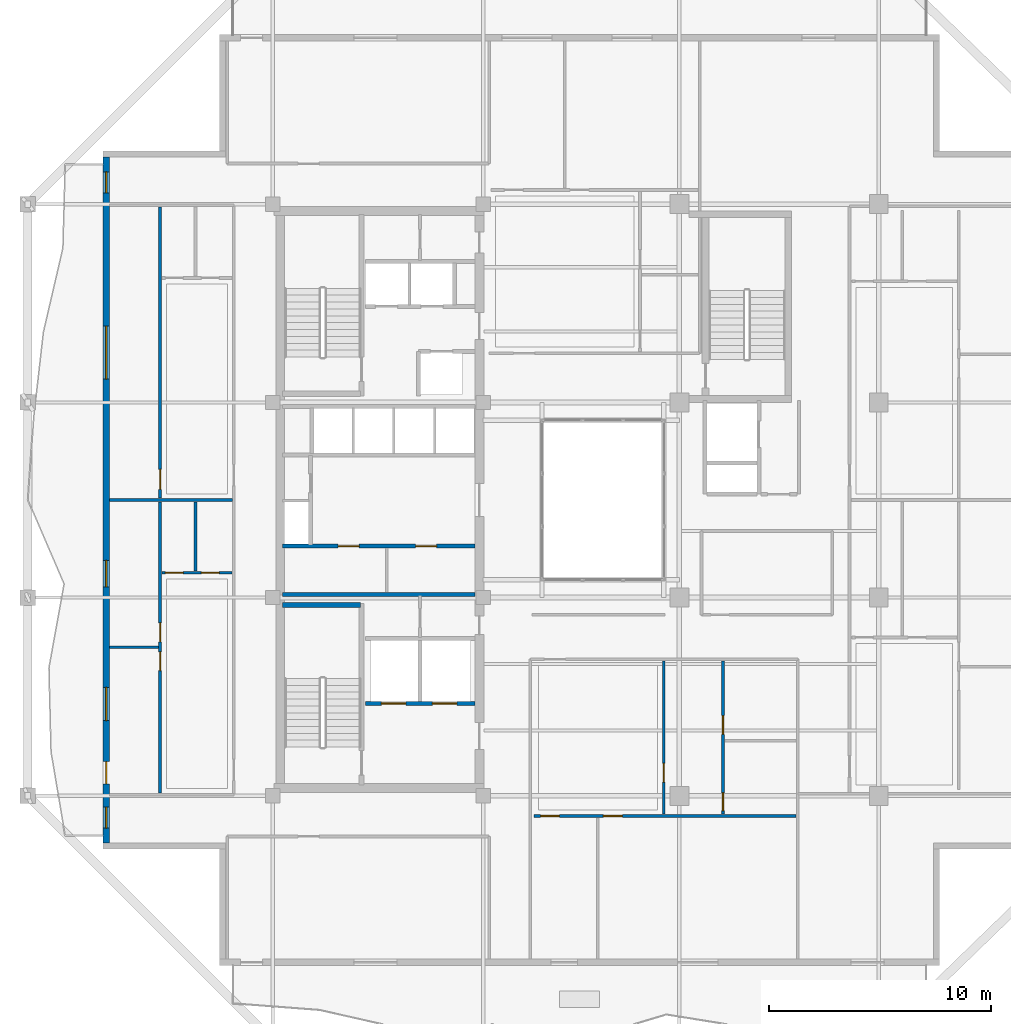
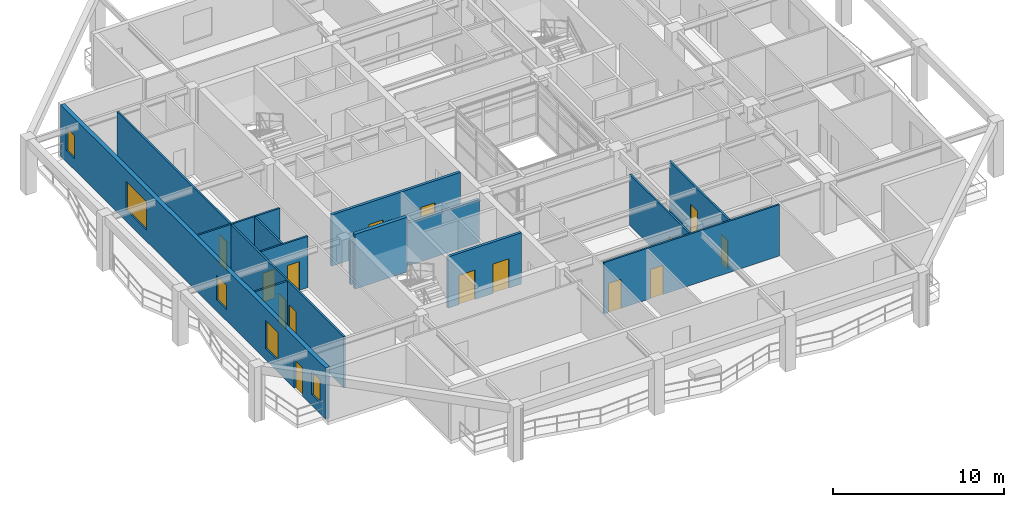
# One storey, part 6 of 15: 15 doors, 14 walls, 5 windows, 20 openings.
"""IFC4 building model written with IfcOpenShell, lengths in metres."""

from ifc_helpers import new_model, si_unit, direction, frame, frame_2d, origin, place, context, subcontext, project, spatial, rectangle, extrude, material, layer, layer_set, type_object, element, fill, save


model = new_model("IFC4")

# Units and contexts
model_context = context("Model", 3, precision=1e-05, world=origin(), true_north=direction((0.0, 1.0)))
body_context = subcontext(model_context, "Body", "Model", "MODEL_VIEW")
ifc_project = project(units=[si_unit("LENGTHUNIT", "METRE"), si_unit("AREAUNIT", "SQUARE_METRE"), si_unit("VOLUMEUNIT", "CUBIC_METRE"), si_unit("PLANEANGLEUNIT", "RADIAN"), si_unit("MASSUNIT", "GRAM", prefix="KILO")], contexts=[model_context])

# Site, building, storey
site_placement = place(None, origin())
site = spatial("IfcSite", under=ifc_project, at=site_placement, CompositionType="ELEMENT")
building_placement = place(site_placement, origin())
building = spatial("IfcBuilding", under=site, at=building_placement, Name="Kundavana Baori Tower", CompositionType="ELEMENT")
storey_placement = place(building_placement, frame((0.0, 0.0, 214.10009765625)))
storey = spatial("IfcBuildingStorey", under=building, at=storey_placement, Name="L52", CompositionType="ELEMENT", Elevation=214.10009765625)

# Wall
ifc_material_1 = material(Name="Concrete C50/60", Category="concrete")
ifc_layer_1 = layer(ifc_material_1, 0.39990234375, Name="WL-CORE-400")
ifc_layer_set_1 = layer_set([ifc_layer_1], Name="Concrete C50/60")
wall_type_1 = type_object("IfcWallType", Name="WL-CORE-400", PredefinedType="SHEAR", material=ifc_layer_set_1)
wall_1_placement = place(storey_placement, frame((15.89990234375, 23.860107421875, 0.0), z_axis=(0.0, 0.0, 1.0), x_axis=(1.0, 0.0, 0.0)))
element("IfcWall", 1, at=wall_1_placement, inside=storey, type_object=wall_type_1, Name="WL-L52-ST1-N", PredefinedType="SHEAR", context=body_context, shape_type="SweptSolid", body=[
    extrude(rectangle(XDim=3.52001953125, YDim=0.239990234375, at=frame_2d((1.760009765625, 0.0))), origin(), (0.0, 0.0, 1.0), 3.89990234375),
])

# Wall, openings, door, windows
ifc_material_2 = material(Name="Red-Buff Dholpur Sandstone Cladding on Concrete C40/50", Category="masonry")
ifc_layer_2 = layer(ifc_material_2, 0.280029296875, Name="WL-EXT-SAND-280")
ifc_layer_set_2 = layer_set([ifc_layer_2], Name="Red-Buff Dholpur Sandstone Cladding on Concrete C40/50")
wall_type_2 = type_object("IfcWallType", Name="WL-EXT-SAND-280", PredefinedType="STANDARD", material=ifc_layer_set_2)
wall_2_placement = place(storey_placement, frame((7.93994140625, 44.070068359375, 0.0), z_axis=(0.0, 0.0, 1.0), x_axis=(0.0, -1.0, 0.0)))
wall_2 = element("IfcWall", 2, at=wall_2_placement, inside=storey, type_object=wall_type_2, Name="L52 Exterior Insulated Facade Wall 10", PredefinedType="STANDARD", context=body_context, shape_type="SweptSolid", body=[
    extrude(rectangle(XDim=30.940185546875, YDim=0.280029296875, at=frame_2d((15.47021484375, 0.0))), origin(), (0.0, 0.0, 1.0), 3.659912109375),
])
opening_1_placement = place(wall_2_placement, frame((29.324951171875, 0.0, 0.800048828125)))
opening_1 = element("IfcOpeningElement", 3, at=opening_1_placement, cuts=wall_2, Name="Opening W-13", PredefinedType="OPENING", context=body_context, shape_type="SweptSolid", body=[
    extrude(rectangle(XDim=0.949951171875, YDim=1.64990234375, at=frame_2d((0.47509765625, 0.824951171875))), frame((0.0, 0.14990234375, 0.0), z_axis=(0.0, -1.0, 0.0), x_axis=(1.0, 0.0, 0.0)), (0.0, 0.0, 1.0), 0.300048828125),
])
opening_2_placement = place(wall_2_placement, frame((27.280029296875, 0.0, 0.0)))
opening_2 = element("IfcOpeningElement", 4, at=opening_2_placement, cuts=wall_2, Name="Opening BD-1", PredefinedType="OPENING", context=body_context, shape_type="SweptSolid", body=[
    extrude(rectangle(XDim=1.0, YDim=2.050048828125, at=frame_2d((0.5, 1.02490234375))), frame((0.0, 0.14990234375, 0.0), z_axis=(0.0, -1.0, 0.0), x_axis=(1.0, 0.0, 0.0)), (0.0, 0.0, 1.0), 0.300048828125),
])
opening_3_placement = place(wall_2_placement, frame((23.919921875, 0.0, 0.800048828125)))
opening_3 = element("IfcOpeningElement", 5, at=opening_3_placement, cuts=wall_2, Name="Opening W-02", PredefinedType="OPENING", context=body_context, shape_type="SweptSolid", body=[
    extrude(rectangle(XDim=1.5, YDim=2.0, at=frame_2d((0.75, 1.0))), frame((0.0, 0.14990234375, 0.0), z_axis=(0.0, -1.0, 0.0), x_axis=(1.0, 0.0, 0.0)), (0.0, 0.0, 1.0), 0.300048828125),
])
opening_4_placement = place(wall_2_placement, frame((18.195068359375, 0.0, 0.800048828125)))
opening_4 = element("IfcOpeningElement", 6, at=opening_4_placement, cuts=wall_2, Name="Opening W-03", PredefinedType="OPENING", context=body_context, shape_type="SweptSolid", body=[
    extrude(rectangle(XDim=1.199951171875, YDim=1.75, at=frame_2d((0.60009765625, 0.875))), frame((0.0, 0.14990234375, 0.0), z_axis=(0.0, -1.0, 0.0), x_axis=(1.0, 0.0, 0.0)), (0.0, 0.0, 1.0), 0.300048828125),
])
opening_5_placement = place(wall_2_placement, frame((7.6201171875, 0.0, 0.800048828125)))
opening_5 = element("IfcOpeningElement", 7, at=opening_5_placement, cuts=wall_2, Name="Opening W-04", PredefinedType="OPENING", context=body_context, shape_type="SweptSolid", body=[
    extrude(rectangle(XDim=2.39990234375, YDim=2.050048828125, at=frame_2d((1.199951171875, 1.02490234375))), frame((0.0, 0.14990234375, 0.0), z_axis=(0.0, -1.0, 0.0), x_axis=(1.0, 0.0, 0.0)), (0.0, 0.0, 1.0), 0.300048828125),
])
opening_6_placement = place(wall_2_placement, frame((0.6650390625, 0.0, 0.800048828125)))
opening_6 = element("IfcOpeningElement", 8, at=opening_6_placement, cuts=wall_2, Name="Opening W-13", PredefinedType="OPENING", context=body_context, shape_type="SweptSolid", body=[
    extrude(rectangle(XDim=0.949951171875, YDim=1.64990234375, at=frame_2d((0.47509765625, 0.824951171875))), frame((0.0, 0.14990234375, 0.0), z_axis=(0.0, -1.0, 0.0), x_axis=(1.0, 0.0, 0.0)), (0.0, 0.0, 1.0), 0.300048828125),
])
ifc_material_3 = material(Name="Architectural Patinated Bronze Metalwork")
door_type_1 = type_object("IfcDoorType", Name="DR-EXT-LOG-1000", OperationType="NOTDEFINED", PredefinedType="DOOR", material=ifc_material_3)
door_1_placement = place(opening_2_placement, frame((1.0, 0.0, 0.0), z_axis=(0.0, 0.0, 1.0), x_axis=(-1.0, 0.0, 0.0)))
door_1 = element("IfcDoor", 9, at=door_1_placement, inside=storey, type_object=door_type_1, Name="L52 Loggia Balcony Access Door W", OperationType="SINGLE_SWING_LEFT", OverallHeight=2.050048828125, OverallWidth=1.0, PredefinedType="DOOR", context=body_context, shape_type="SweptSolid", body=[
    extrude(rectangle(XDim=1.0, YDim=2.050048828125, at=frame_2d((0.5, 1.02490234375))), frame((0.0, 0.02490234375, 0.0), z_axis=(0.0, -1.0, 0.0), x_axis=(1.0, 0.0, 0.0)), (0.0, 0.0, 1.0), 0.050048828125),
])
fill(opening_2, door_1)
ifc_material_4 = material(Name="Double-Glazed Solar-Control Low-E Insulated Glass", Category="glass")
window_type_1 = type_object("IfcWindowType", Name="WIN-LOG-1200x1750", PartitioningType="SINGLE_PANEL", PredefinedType="WINDOW", material=ifc_material_4)
window_1_placement = place(opening_4_placement, origin())
window_1 = element("IfcWindow", 10, at=window_1_placement, inside=storey, type_object=window_type_1, Name="L52 Recessed Loggia Window W-3", OverallHeight=1.75, OverallWidth=1.199951171875, PartitioningType="SINGLE_PANEL", PredefinedType="WINDOW", context=body_context, shape_type="SweptSolid", body=[
    extrude(rectangle(XDim=1.199951171875, YDim=1.75, at=frame_2d((0.60009765625, 0.875))), frame((0.0, 0.030029296875, 0.0), z_axis=(0.0, -1.0, 0.0), x_axis=(1.0, 0.0, 0.0)), (0.0, 0.0, 1.0), 0.06005859375),
])
fill(opening_4, window_1)
ifc_material_5 = material(Name="Double-Glazed Solar-Control Low-E Insulated Glass", Category="glass")
window_type_2 = type_object("IfcWindowType", Name="WIN-LOG-1500x2000", PartitioningType="SINGLE_PANEL", PredefinedType="WINDOW", material=ifc_material_5)
window_2_placement = place(opening_3_placement, origin())
window_2 = element("IfcWindow", 11, at=window_2_placement, inside=storey, type_object=window_type_2, Name="L52 Recessed Loggia Window W-2", OverallHeight=2.0, OverallWidth=1.5, PartitioningType="SINGLE_PANEL", PredefinedType="WINDOW", context=body_context, shape_type="SweptSolid", body=[
    extrude(rectangle(XDim=1.5, YDim=2.0, at=frame_2d((0.75, 1.0))), frame((0.0, 0.030029296875, 0.0), z_axis=(0.0, -1.0, 0.0), x_axis=(1.0, 0.0, 0.0)), (0.0, 0.0, 1.0), 0.06005859375),
])
fill(opening_3, window_2)
ifc_material_6 = material(Name="Double-Glazed Solar-Control Low-E Insulated Glass", Category="glass")
window_type_3 = type_object("IfcWindowType", Name="WIN-LOG-2400x2050", PartitioningType="SINGLE_PANEL", PredefinedType="WINDOW", material=ifc_material_6)
window_3_placement = place(opening_5_placement, origin())
window_3 = element("IfcWindow", 12, at=window_3_placement, inside=storey, type_object=window_type_3, Name="L52 Recessed Loggia Window W-4", OverallHeight=2.050048828125, OverallWidth=2.39990234375, PartitioningType="SINGLE_PANEL", PredefinedType="WINDOW", context=body_context, shape_type="SweptSolid", body=[
    extrude(rectangle(XDim=2.39990234375, YDim=2.050048828125, at=frame_2d((1.199951171875, 1.02490234375))), frame((0.0, 0.030029296875, 0.0), z_axis=(0.0, -1.0, 0.0), x_axis=(1.0, 0.0, 0.0)), (0.0, 0.0, 1.0), 0.06005859375),
])
fill(opening_5, window_3)
ifc_material_7 = material(Name="Double-Glazed Solar-Control Low-E Insulated Glass", Category="glass")
window_type_4 = type_object("IfcWindowType", Name="WIN-LOG-950x1650", PartitioningType="SINGLE_PANEL", PredefinedType="WINDOW", material=ifc_material_7)
window_4_placement = place(opening_1_placement, origin())
window_4 = element("IfcWindow", 13, at=window_4_placement, inside=storey, type_object=window_type_4, Name="L52 Recessed Loggia Window W-1", OverallHeight=1.64990234375, OverallWidth=0.949951171875, PartitioningType="SINGLE_PANEL", PredefinedType="WINDOW", context=body_context, shape_type="SweptSolid", body=[
    extrude(rectangle(XDim=0.949951171875, YDim=1.64990234375, at=frame_2d((0.47509765625, 0.824951171875))), frame((0.0, 0.030029296875, 0.0), z_axis=(0.0, -1.0, 0.0), x_axis=(1.0, 0.0, 0.0)), (0.0, 0.0, 1.0), 0.06005859375),
])
fill(opening_1, window_4)
window_5_placement = place(opening_6_placement, origin())
window_5 = element("IfcWindow", 14, at=window_5_placement, inside=storey, type_object=window_type_4, Name="L52 Recessed Loggia Window W-5", OverallHeight=1.64990234375, OverallWidth=0.949951171875, PartitioningType="SINGLE_PANEL", PredefinedType="WINDOW", context=body_context, shape_type="SweptSolid", body=[
    extrude(rectangle(XDim=0.949951171875, YDim=1.64990234375, at=frame_2d((0.47509765625, 0.824951171875))), frame((0.0, 0.030029296875, 0.0), z_axis=(0.0, -1.0, 0.0), x_axis=(1.0, 0.0, 0.0)), (0.0, 0.0, 1.0), 0.06005859375),
])
fill(opening_6, window_5)

# Wall, openings, doors
ifc_material_8 = material(Name="Acoustic Gypsum Plasterboard on Galvanised Steel Studs", Category="steel")
ifc_layer_3 = layer(ifc_material_8, 0.1201171875, Name="WL-PART-120")
ifc_layer_set_3 = layer_set([ifc_layer_3], Name="Acoustic Gypsum Plasterboard on Galvanised Steel Studs")
wall_type_3 = type_object("IfcWallType", Name="WL-PART-120", PredefinedType="PARTITIONING", material=ifc_layer_set_3)
wall_3_placement = place(storey_placement, frame((10.3701171875, 15.3798828125, 0.0), z_axis=(0.0, 0.0, 1.0), x_axis=(0.0, 1.0, 0.0)))
wall_3 = element("IfcWall", 15, at=wall_3_placement, inside=storey, type_object=wall_type_3, Name="WL-L52-W1-VT", PredefinedType="PARTITIONING", context=body_context, shape_type="SweptSolid", body=[
    extrude(rectangle(XDim=13.14013671875, YDim=0.1201171875, at=frame_2d((6.570068359375, 0.0))), origin(), (0.0, 0.0, 1.0), 3.659912109375),
])
opening_7_placement = place(wall_3_placement, frame((5.52001953125, 0.0, 0.0)))
opening_7 = element("IfcOpeningElement", 16, at=opening_7_placement, cuts=wall_3, Name="Opening ID-085", PredefinedType="OPENING", context=body_context, shape_type="SweptSolid", body=[
    extrude(rectangle(XDim=0.85009765625, YDim=2.080078125, at=frame_2d((0.425048828125, 1.0400390625))), frame((0.0, 0.070068359375, 0.0), z_axis=(0.0, -1.0, 0.0), x_axis=(1.0, 0.0, 0.0)), (0.0, 0.0, 1.0), 0.14013671875),
])
opening_8_placement = place(wall_3_placement, frame((6.820068359375, 0.0, 0.0)))
opening_8 = element("IfcOpeningElement", 17, at=opening_8_placement, cuts=wall_3, Name="Opening ID-085", PredefinedType="OPENING", context=body_context, shape_type="SweptSolid", body=[
    extrude(rectangle(XDim=0.85009765625, YDim=2.080078125, at=frame_2d((0.425048828125, 1.0400390625))), frame((0.0, 0.070068359375, 0.0), z_axis=(0.0, -1.0, 0.0), x_axis=(1.0, 0.0, 0.0)), (0.0, 0.0, 1.0), 0.14013671875),
])
ifc_material_9 = material(Name="Engineered Teak Solid-Core Timber Veneer", Category="wood")
door_type_2 = type_object("IfcDoorType", Name="DR-INT-850", OperationType="NOTDEFINED", PredefinedType="DOOR", material=ifc_material_9)
door_2_placement = place(opening_7_placement, frame((0.85009765625, 0.0, 0.0), z_axis=(0.0, 0.0, 1.0), x_axis=(-1.0, 0.0, 0.0)))
door_2 = element("IfcDoor", 18, at=door_2_placement, inside=storey, type_object=door_type_2, Name="DR-L52-W1-B1", OperationType="SINGLE_SWING_LEFT", OverallHeight=2.080078125, OverallWidth=0.85009765625, PredefinedType="DOOR", context=body_context, shape_type="SweptSolid", body=[
    extrude(rectangle(XDim=0.85009765625, YDim=2.080078125, at=frame_2d((0.425048828125, 1.0400390625))), frame((0.0, 0.02490234375, 0.0), z_axis=(0.0, -1.0, 0.0), x_axis=(1.0, 0.0, 0.0)), (0.0, 0.0, 1.0), 0.050048828125),
])
fill(opening_7, door_2)
door_3_placement = place(opening_8_placement, frame((0.85009765625, 0.0, 0.0), z_axis=(0.0, 0.0, 1.0), x_axis=(-1.0, 0.0, 0.0)))
door_3 = element("IfcDoor", 19, at=door_3_placement, inside=storey, type_object=door_type_2, Name="DR-L52-W1-B2", OperationType="SINGLE_SWING_RIGHT", OverallHeight=2.080078125, OverallWidth=0.85009765625, PredefinedType="DOOR", context=body_context, shape_type="SweptSolid", body=[
    extrude(rectangle(XDim=0.85009765625, YDim=2.080078125, at=frame_2d((0.425048828125, 1.0400390625))), frame((0.0, 0.02490234375, 0.0), z_axis=(0.0, -1.0, 0.0), x_axis=(1.0, 0.0, 0.0)), (0.0, 0.0, 1.0), 0.050048828125),
])
fill(opening_8, door_3)

# Walls
wall_4_placement = place(storey_placement, frame((8.080078125, 21.949951171875, 0.0), z_axis=(0.0, 0.0, 1.0), x_axis=(1.0, 0.0, 0.0)))
element("IfcWall", 20, at=wall_4_placement, inside=storey, type_object=wall_type_3, Name="WL-L52-W1-BDH", PredefinedType="PARTITIONING", context=body_context, shape_type="SweptSolid", body=[
    extrude(rectangle(XDim=2.2099609375, YDim=0.1201171875, at=frame_2d((1.10498046875, 0.0))), origin(), (0.0, 0.0, 1.0), 3.659912109375),
])
wall_5_placement = place(storey_placement, frame((8.080078125, 28.60009765625, 0.0), z_axis=(0.0, 0.0, 1.0), x_axis=(1.0, 0.0, 0.0)))
element("IfcWall", 21, at=wall_5_placement, inside=storey, type_object=wall_type_3, Name="WL-L52-RWD1", PredefinedType="PARTITIONING", context=body_context, shape_type="SweptSolid", body=[
    extrude(rectangle(XDim=5.559814453125, YDim=0.1201171875, at=frame_2d((2.77978515625, 0.0))), origin(), (0.0, 0.0, 1.0), 3.659912109375),
])

# Wall, opening, door
wall_6_placement = place(storey_placement, frame((10.3701171875, 28.679931640625, 0.0), z_axis=(0.0, 0.0, 1.0), x_axis=(0.0, 1.0, 0.0)))
wall_6 = element("IfcWall", 22, at=wall_6_placement, inside=storey, type_object=wall_type_3, Name="WL-L52-W2-VT", PredefinedType="PARTITIONING", context=body_context, shape_type="SweptSolid", body=[
    extrude(rectangle(XDim=13.14013671875, YDim=0.1201171875, at=frame_2d((6.570068359375, 0.0))), origin(), (0.0, 0.0, 1.0), 3.659912109375),
])
opening_9_placement = place(wall_6_placement, frame((0.39990234375, 0.0, 0.0)))
opening_9 = element("IfcOpeningElement", 23, at=opening_9_placement, cuts=wall_6, Name="Opening ID-090", PredefinedType="OPENING", context=body_context, shape_type="SweptSolid", body=[
    extrude(rectangle(XDim=0.89990234375, YDim=2.080078125, at=frame_2d((0.449951171875, 1.0400390625))), frame((0.0, 0.070068359375, 0.0), z_axis=(0.0, -1.0, 0.0), x_axis=(1.0, 0.0, 0.0)), (0.0, 0.0, 1.0), 0.14013671875),
])
ifc_material_10 = material(Name="Engineered Teak Solid-Core Timber Veneer", Category="wood")
door_type_3 = type_object("IfcDoorType", Name="DR-INT-900", OperationType="NOTDEFINED", PredefinedType="DOOR", material=ifc_material_10)
door_4_placement = place(opening_9_placement, frame((0.89990234375, 0.0, 0.0), z_axis=(0.0, 0.0, 1.0), x_axis=(-1.0, 0.0, 0.0)))
door_4 = element("IfcDoor", 24, at=door_4_placement, inside=storey, type_object=door_type_3, Name="DR-L52-W2-B1", OperationType="SINGLE_SWING_LEFT", OverallHeight=2.080078125, OverallWidth=0.89990234375, PredefinedType="DOOR", context=body_context, shape_type="SweptSolid", body=[
    extrude(rectangle(XDim=0.89990234375, YDim=2.080078125, at=frame_2d((0.449951171875, 1.0400390625))), frame((0.0, 0.02490234375, 0.0), z_axis=(0.0, -1.0, 0.0), x_axis=(1.0, 0.0, 0.0)), (0.0, 0.0, 1.0), 0.050048828125),
])
fill(opening_9, door_4)

# Wall, openings, doors
wall_7_placement = place(storey_placement, frame((27.239990234375, 14.341064453125, 0.0), z_axis=(0.0, 0.0, 1.0), x_axis=(1.0, 0.0, 0.0)))
wall_7 = element("IfcWall", 25, at=wall_7_placement, inside=storey, type_object=wall_type_3, Name="WL-L52-S1-HZ", PredefinedType="PARTITIONING", context=body_context, shape_type="SweptSolid", body=[
    extrude(rectangle(XDim=11.830078125, YDim=0.1201171875, at=frame_2d((5.9150390625, 0.0))), origin(), (0.0, 0.0, 1.0), 3.659912109375),
])
opening_10_placement = place(wall_7_placement, frame((0.300048828125, 0.0, 0.0)))
opening_10 = element("IfcOpeningElement", 26, at=opening_10_placement, cuts=wall_7, Name="Opening ID-085", PredefinedType="OPENING", context=body_context, shape_type="SweptSolid", body=[
    extrude(rectangle(XDim=0.85009765625, YDim=2.080078125, at=frame_2d((0.425048828125, 1.0400390625))), frame((0.0, 0.070068359375, 0.0), z_axis=(0.0, -1.0, 0.0), x_axis=(1.0, 0.0, 0.0)), (0.0, 0.0, 1.0), 0.14013671875),
])
opening_11_placement = place(wall_7_placement, frame((3.135009765625, 0.0, 0.0)))
opening_11 = element("IfcOpeningElement", 27, at=opening_11_placement, cuts=wall_7, Name="Opening ID-085", PredefinedType="OPENING", context=body_context, shape_type="SweptSolid", body=[
    extrude(rectangle(XDim=0.85009765625, YDim=2.080078125, at=frame_2d((0.425048828125, 1.0400390625))), frame((0.0, 0.070068359375, 0.0), z_axis=(0.0, -1.0, 0.0), x_axis=(1.0, 0.0, 0.0)), (0.0, 0.0, 1.0), 0.14013671875),
])
door_5_placement = place(opening_10_placement, frame((0.85009765625, 0.0, 0.0), z_axis=(0.0, 0.0, 1.0), x_axis=(-1.0, 0.0, 0.0)))
door_5 = element("IfcDoor", 28, at=door_5_placement, inside=storey, type_object=door_type_2, Name="DR-L52-S1-B1", OperationType="SINGLE_SWING_LEFT", OverallHeight=2.080078125, OverallWidth=0.85009765625, PredefinedType="DOOR", context=body_context, shape_type="SweptSolid", body=[
    extrude(rectangle(XDim=0.85009765625, YDim=2.080078125, at=frame_2d((0.425048828125, 1.0400390625))), frame((0.0, 0.02490234375, 0.0), z_axis=(0.0, -1.0, 0.0), x_axis=(1.0, 0.0, 0.0)), (0.0, 0.0, 1.0), 0.050048828125),
])
fill(opening_10, door_5)
door_6_placement = place(opening_11_placement, frame((0.85009765625, 0.0, 0.0), z_axis=(0.0, 0.0, 1.0), x_axis=(-1.0, 0.0, 0.0)))
door_6 = element("IfcDoor", 29, at=door_6_placement, inside=storey, type_object=door_type_2, Name="DR-L52-S1-B2", OperationType="SINGLE_SWING_RIGHT", OverallHeight=2.080078125, OverallWidth=0.85009765625, PredefinedType="DOOR", context=body_context, shape_type="SweptSolid", body=[
    extrude(rectangle(XDim=0.85009765625, YDim=2.080078125, at=frame_2d((0.425048828125, 1.0400390625))), frame((0.0, 0.02490234375, 0.0), z_axis=(0.0, -1.0, 0.0), x_axis=(1.0, 0.0, 0.0)), (0.0, 0.0, 1.0), 0.050048828125),
])
fill(opening_11, door_6)

# Wall, opening, door
wall_8_placement = place(storey_placement, frame((33.090087890625, 14.4208984375, 0.0), z_axis=(0.0, 0.0, 1.0), x_axis=(0.0, 1.0, 0.0)))
wall_8 = element("IfcWall", 30, at=wall_8_placement, inside=storey, type_object=wall_type_3, Name="WL-L52-S1-STU", PredefinedType="PARTITIONING", context=body_context, shape_type="SweptSolid", body=[
    extrude(rectangle(XDim=6.919189453125, YDim=0.1201171875, at=frame_2d((3.45947265625, 0.0))), origin(), (0.0, 0.0, 1.0), 3.659912109375),
])
opening_12_placement = place(wall_8_placement, frame((1.449951171875, 0.0, 0.0)))
opening_12 = element("IfcOpeningElement", 31, at=opening_12_placement, cuts=wall_8, Name="Opening ID-085", PredefinedType="OPENING", context=body_context, shape_type="SweptSolid", body=[
    extrude(rectangle(XDim=0.85009765625, YDim=2.080078125, at=frame_2d((0.425048828125, 1.0400390625))), frame((0.0, 0.070068359375, 0.0), z_axis=(0.0, -1.0, 0.0), x_axis=(1.0, 0.0, 0.0)), (0.0, 0.0, 1.0), 0.14013671875),
])
door_7_placement = place(opening_12_placement, origin())
door_7 = element("IfcDoor", 32, at=door_7_placement, inside=storey, type_object=door_type_2, Name="DR-L52-S1-STD", OperationType="SINGLE_SWING_LEFT", OverallHeight=2.080078125, OverallWidth=0.85009765625, PredefinedType="DOOR", context=body_context, shape_type="SweptSolid", body=[
    extrude(rectangle(XDim=0.85009765625, YDim=2.080078125, at=frame_2d((0.425048828125, 1.0400390625))), frame((0.0, 0.02490234375, 0.0), z_axis=(0.0, -1.0, 0.0), x_axis=(1.0, 0.0, 0.0)), (0.0, 0.0, 1.0), 0.050048828125),
])
fill(opening_12, door_7)

# Wall, openings, doors
ifc_material_11 = material(Name="Autoclaved Aerated Concrete Blockwork Masonry", Category="masonry")
ifc_layer_4 = layer(ifc_material_11, 0.179931640625, Name="WL-SHAFT-180")
ifc_layer_set_4 = layer_set([ifc_layer_4], Name="Autoclaved Aerated Concrete Blockwork Masonry")
wall_type_4 = type_object("IfcWallType", Name="WL-SHAFT-180", PredefinedType="SOLIDWALL", material=ifc_layer_set_4)
wall_9_placement = place(storey_placement, frame((19.639892578125, 19.419921875, 0.0), z_axis=(0.0, 0.0, 1.0), x_axis=(1.0, 0.0, 0.0)))
wall_9 = element("IfcWall", 33, at=wall_9_placement, inside=storey, type_object=wall_type_4, Name="WL-L52-FFL-S", PredefinedType="SOLIDWALL", context=body_context, shape_type="SweptSolid", body=[
    extrude(rectangle(XDim=4.940185546875, YDim=0.179931640625, at=frame_2d((2.47021484375, 0.0))), origin(), (0.0, 0.0, 1.0), 3.659912109375),
])
opening_13_placement = place(wall_9_placement, frame((0.719970703125, 0.0, 0.0)))
opening_13 = element("IfcOpeningElement", 34, at=opening_13_placement, cuts=wall_9, Name="Opening LD-110", PredefinedType="OPENING", context=body_context, shape_type="SweptSolid", body=[
    extrude(rectangle(XDim=1.10009765625, YDim=2.10009765625, at=frame_2d((0.550048828125, 1.050048828125))), frame((0.0, 0.10009765625, 0.0), z_axis=(0.0, -1.0, 0.0), x_axis=(1.0, 0.0, 0.0)), (0.0, 0.0, 1.0), 0.199951171875),
])
opening_14_placement = place(wall_9_placement, frame((3.02001953125, 0.0, 0.0)))
opening_14 = element("IfcOpeningElement", 35, at=opening_14_placement, cuts=wall_9, Name="Opening LD-110", PredefinedType="OPENING", context=body_context, shape_type="SweptSolid", body=[
    extrude(rectangle(XDim=1.10009765625, YDim=2.10009765625, at=frame_2d((0.550048828125, 1.050048828125))), frame((0.0, 0.10009765625, 0.0), z_axis=(0.0, -1.0, 0.0), x_axis=(1.0, 0.0, 0.0)), (0.0, 0.0, 1.0), 0.199951171875),
])
ifc_material_12 = material(Name="Galvanised Steel Fire-Rated Door Leaf", Category="steel")
door_type_4 = type_object("IfcDoorType", Name="DR-SLIDE-LD1100", OperationType="NOTDEFINED", PredefinedType="DOOR", material=ifc_material_12)
door_8_placement = place(opening_13_placement, origin())
door_8 = element("IfcDoor", 36, at=door_8_placement, inside=storey, type_object=door_type_4, Name="DR-L52-LD-FFL-1", OperationType="DOUBLE_DOOR_SLIDING", OverallHeight=2.10009765625, OverallWidth=1.10009765625, PredefinedType="DOOR", context=body_context, shape_type="SweptSolid", body=[
    extrude(rectangle(XDim=1.10009765625, YDim=2.10009765625, at=frame_2d((0.550048828125, 1.050048828125))), frame((0.0, 0.02490234375, 0.0), z_axis=(0.0, -1.0, 0.0), x_axis=(1.0, 0.0, 0.0)), (0.0, 0.0, 1.0), 0.050048828125),
])
fill(opening_13, door_8)
door_9_placement = place(opening_14_placement, origin())
door_9 = element("IfcDoor", 37, at=door_9_placement, inside=storey, type_object=door_type_4, Name="DR-L52-LD-FFL-2", OperationType="DOUBLE_DOOR_SLIDING", OverallHeight=2.10009765625, OverallWidth=1.10009765625, PredefinedType="DOOR", context=body_context, shape_type="SweptSolid", body=[
    extrude(rectangle(XDim=1.10009765625, YDim=2.10009765625, at=frame_2d((0.550048828125, 1.050048828125))), frame((0.0, 0.02490234375, 0.0), z_axis=(0.0, -1.0, 0.0), x_axis=(1.0, 0.0, 0.0)), (0.0, 0.0, 1.0), 0.050048828125),
])
fill(opening_14, door_9)

wall_10_placement = place(storey_placement, frame((15.89990234375, 26.52001953125, 0.0), z_axis=(0.0, 0.0, 1.0), x_axis=(1.0, 0.0, 0.0)))
wall_10 = element("IfcWall", 38, at=wall_10_placement, inside=storey, type_object=wall_type_4, Name="WL-L52-LPLOW-N", PredefinedType="SOLIDWALL", context=body_context, shape_type="SweptSolid", body=[
    extrude(rectangle(XDim=8.68017578125, YDim=0.179931640625, at=frame_2d((4.340087890625, 0.0))), origin(), (0.0, 0.0, 1.0), 3.659912109375),
])
opening_15_placement = place(wall_10_placement, frame((2.5, 0.0, 0.0)))
opening_15 = element("IfcOpeningElement", 39, at=opening_15_placement, cuts=wall_10, Name="Opening FD-095", PredefinedType="OPENING", context=body_context, shape_type="SweptSolid", body=[
    extrude(rectangle(XDim=0.949951171875, YDim=2.10009765625, at=frame_2d((0.47509765625, 1.050048828125))), frame((0.0, 0.10009765625, 0.0), z_axis=(0.0, -1.0, 0.0), x_axis=(1.0, 0.0, 0.0)), (0.0, 0.0, 1.0), 0.199951171875),
])
opening_16_placement = place(wall_10_placement, frame((6.0, 0.0, 0.0)))
opening_16 = element("IfcOpeningElement", 40, at=opening_16_placement, cuts=wall_10, Name="Opening FD-095", PredefinedType="OPENING", context=body_context, shape_type="SweptSolid", body=[
    extrude(rectangle(XDim=0.949951171875, YDim=2.10009765625, at=frame_2d((0.47509765625, 1.050048828125))), frame((0.0, 0.10009765625, 0.0), z_axis=(0.0, -1.0, 0.0), x_axis=(1.0, 0.0, 0.0)), (0.0, 0.0, 1.0), 0.199951171875),
])
ifc_material_13 = material(Name="Engineered Teak Fire-Rated Timber Door Leaf", Category="wood")
door_type_5 = type_object("IfcDoorType", Name="DR-FD60-950", OperationType="NOTDEFINED", PredefinedType="DOOR", material=ifc_material_13)
door_10_placement = place(opening_15_placement, origin())
door_10 = element("IfcDoor", 41, at=door_10_placement, inside=storey, type_object=door_type_5, Name="DR-L52-FRLOW1", OperationType="SINGLE_SWING_LEFT", OverallHeight=2.10009765625, OverallWidth=0.949951171875, PredefinedType="DOOR", context=body_context, shape_type="SweptSolid", body=[
    extrude(rectangle(XDim=0.949951171875, YDim=2.10009765625, at=frame_2d((0.47509765625, 1.050048828125))), frame((0.0, 0.02490234375, 0.0), z_axis=(0.0, -1.0, 0.0), x_axis=(1.0, 0.0, 0.0)), (0.0, 0.0, 1.0), 0.050048828125),
])
fill(opening_15, door_10)
door_11_placement = place(opening_16_placement, origin())
door_11 = element("IfcDoor", 42, at=door_11_placement, inside=storey, type_object=door_type_5, Name="DR-L52-FRLOW2", OperationType="SINGLE_SWING_RIGHT", OverallHeight=2.10009765625, OverallWidth=0.949951171875, PredefinedType="DOOR", context=body_context, shape_type="SweptSolid", body=[
    extrude(rectangle(XDim=0.949951171875, YDim=2.10009765625, at=frame_2d((0.47509765625, 1.050048828125))), frame((0.0, 0.02490234375, 0.0), z_axis=(0.0, -1.0, 0.0), x_axis=(1.0, 0.0, 0.0)), (0.0, 0.0, 1.0), 0.050048828125),
])
fill(opening_16, door_11)

# Wall
wall_11_placement = place(storey_placement, frame((15.89990234375, 24.330078125, 0.0), z_axis=(0.0, 0.0, 1.0), x_axis=(1.0, 0.0, 0.0)))
element("IfcWall", 43, at=wall_11_placement, inside=storey, type_object=wall_type_4, Name="WL-L52-LPLOW-S", PredefinedType="SOLIDWALL", context=body_context, shape_type="SweptSolid", body=[
    extrude(rectangle(XDim=8.68017578125, YDim=0.179931640625, at=frame_2d((4.340087890625, 0.0))), origin(), (0.0, 0.0, 1.0), 3.059814453125),
])

# Wall, openings, doors
ifc_material_14 = material(Name="Autoclaved Aerated Concrete Blockwork Masonry", Category="masonry")
ifc_layer_5 = layer(ifc_material_14, 0.125, Name="WL-WET-120")
ifc_layer_set_5 = layer_set([ifc_layer_5], Name="Autoclaved Aerated Concrete Blockwork Masonry")
wall_type_5 = type_object("IfcWallType", Name="WL-WET-120", PredefinedType="PLUMBINGWALL", material=ifc_layer_set_5)
wall_12_placement = place(storey_placement, frame((10.449951171875, 25.320068359375, 0.0), z_axis=(0.0, 0.0, 1.0), x_axis=(1.0, 0.0, 0.0)))
wall_12 = element("IfcWall", 44, at=wall_12_placement, inside=storey, type_object=wall_type_5, Name="WL-L52-W1-KH", PredefinedType="PLUMBINGWALL", context=body_context, shape_type="SweptSolid", body=[
    extrude(rectangle(XDim=3.170166015625, YDim=0.125, at=frame_2d((1.5849609375, 0.0))), origin(), (0.0, 0.0, 1.0), 3.659912109375),
])
opening_17_placement = place(wall_12_placement, frame((0.159912109375, 0.0, 0.0)))
opening_17 = element("IfcOpeningElement", 45, at=opening_17_placement, cuts=wall_12, Name="Opening WD-080", PredefinedType="OPENING", context=body_context, shape_type="SweptSolid", body=[
    extrude(rectangle(XDim=0.800048828125, YDim=2.050048828125, at=frame_2d((0.39990234375, 1.02490234375))), frame((0.0, 0.072509765625, 0.0), z_axis=(0.0, -1.0, 0.0), x_axis=(1.0, 0.0, 0.0)), (0.0, 0.0, 1.0), 0.14501953125),
])
opening_18_placement = place(wall_12_placement, frame((1.781982421875, 0.0, 0.0)))
opening_18 = element("IfcOpeningElement", 46, at=opening_18_placement, cuts=wall_12, Name="Opening WD-080", PredefinedType="OPENING", context=body_context, shape_type="SweptSolid", body=[
    extrude(rectangle(XDim=0.800048828125, YDim=2.050048828125, at=frame_2d((0.39990234375, 1.02490234375))), frame((0.0, 0.072509765625, 0.0), z_axis=(0.0, -1.0, 0.0), x_axis=(1.0, 0.0, 0.0)), (0.0, 0.0, 1.0), 0.14501953125),
])
ifc_material_15 = material(Name="Engineered Teak Solid-Core Timber Veneer", Category="wood")
door_type_6 = type_object("IfcDoorType", Name="DR-WET-800", OperationType="NOTDEFINED", PredefinedType="DOOR", material=ifc_material_15)
door_12_placement = place(opening_17_placement, origin())
door_12 = element("IfcDoor", 47, at=door_12_placement, inside=storey, type_object=door_type_6, Name="DR-L52-W1-BT", OperationType="SINGLE_SWING_LEFT", OverallHeight=2.050048828125, OverallWidth=0.800048828125, PredefinedType="DOOR", context=body_context, shape_type="SweptSolid", body=[
    extrude(rectangle(XDim=0.800048828125, YDim=2.050048828125, at=frame_2d((0.39990234375, 1.02490234375))), frame((0.0, 0.02490234375, 0.0), z_axis=(0.0, -1.0, 0.0), x_axis=(1.0, 0.0, 0.0)), (0.0, 0.0, 1.0), 0.050048828125),
])
fill(opening_17, door_12)
door_13_placement = place(opening_18_placement, origin())
door_13 = element("IfcDoor", 48, at=door_13_placement, inside=storey, type_object=door_type_6, Name="DR-L52-W1-KT", OperationType="SINGLE_SWING_RIGHT", OverallHeight=2.050048828125, OverallWidth=0.800048828125, PredefinedType="DOOR", context=body_context, shape_type="SweptSolid", body=[
    extrude(rectangle(XDim=0.800048828125, YDim=2.050048828125, at=frame_2d((0.39990234375, 1.02490234375))), frame((0.0, 0.02490234375, 0.0), z_axis=(0.0, -1.0, 0.0), x_axis=(1.0, 0.0, 0.0)), (0.0, 0.0, 1.0), 0.050048828125),
])
fill(opening_18, door_13)

# Wall
wall_13_placement = place(storey_placement, frame((11.971923828125, 25.39990234375, 0.0), z_axis=(0.0, 0.0, 1.0), x_axis=(0.0, 1.0, 0.0)))
element("IfcWall", 49, at=wall_13_placement, inside=storey, type_object=wall_type_5, Name="WL-L52-W1-BV", PredefinedType="PLUMBINGWALL", context=body_context, shape_type="SweptSolid", body=[
    extrude(rectangle(XDim=3.1201171875, YDim=0.125, at=frame_2d((1.56005859375, 0.0))), origin(), (0.0, 0.0, 1.0), 3.659912109375),
])

# Wall, openings, doors
wall_14_placement = place(storey_placement, frame((35.77001953125, 14.4208984375, 0.0), z_axis=(0.0, 0.0, 1.0), x_axis=(0.0, 1.0, 0.0)))
wall_14 = element("IfcWall", 50, at=wall_14_placement, inside=storey, type_object=wall_type_5, Name="WL-L52-S1-KT", PredefinedType="PLUMBINGWALL", context=body_context, shape_type="SweptSolid", body=[
    extrude(rectangle(XDim=6.919189453125, YDim=0.125, at=frame_2d((3.45947265625, 0.0))), origin(), (0.0, 0.0, 1.0), 3.659912109375),
])
opening_19_placement = place(wall_14_placement, frame((0.159912109375, 0.0, 0.0)))
opening_19 = element("IfcOpeningElement", 51, at=opening_19_placement, cuts=wall_14, Name="Opening WD-080", PredefinedType="OPENING", context=body_context, shape_type="SweptSolid", body=[
    extrude(rectangle(XDim=0.800048828125, YDim=2.050048828125, at=frame_2d((0.39990234375, 1.02490234375))), frame((0.0, 0.072509765625, 0.0), z_axis=(0.0, -1.0, 0.0), x_axis=(1.0, 0.0, 0.0)), (0.0, 0.0, 1.0), 0.14501953125),
])
opening_20_placement = place(wall_14_placement, frame((3.60107421875, 0.0, 0.0)))
opening_20 = element("IfcOpeningElement", 52, at=opening_20_placement, cuts=wall_14, Name="Opening ID-085", PredefinedType="OPENING", context=body_context, shape_type="SweptSolid", body=[
    extrude(rectangle(XDim=0.85009765625, YDim=2.080078125, at=frame_2d((0.425048828125, 1.0400390625))), frame((0.0, 0.072509765625, 0.0), z_axis=(0.0, -1.0, 0.0), x_axis=(1.0, 0.0, 0.0)), (0.0, 0.0, 1.0), 0.14501953125),
])
door_14_placement = place(opening_20_placement, origin())
door_14 = element("IfcDoor", 53, at=door_14_placement, inside=storey, type_object=door_type_2, Name="DR-L52-S1-KT", OperationType="SINGLE_SWING_RIGHT", OverallHeight=2.080078125, OverallWidth=0.85009765625, PredefinedType="DOOR", context=body_context, shape_type="SweptSolid", body=[
    extrude(rectangle(XDim=0.85009765625, YDim=2.080078125, at=frame_2d((0.425048828125, 1.0400390625))), frame((0.0, 0.02490234375, 0.0), z_axis=(0.0, -1.0, 0.0), x_axis=(1.0, 0.0, 0.0)), (0.0, 0.0, 1.0), 0.050048828125),
])
fill(opening_20, door_14)
door_15_placement = place(opening_19_placement, origin())
door_15 = element("IfcDoor", 54, at=door_15_placement, inside=storey, type_object=door_type_6, Name="DR-L52-S1-BT", OperationType="SINGLE_SWING_LEFT", OverallHeight=2.050048828125, OverallWidth=0.800048828125, PredefinedType="DOOR", context=body_context, shape_type="SweptSolid", body=[
    extrude(rectangle(XDim=0.800048828125, YDim=2.050048828125, at=frame_2d((0.39990234375, 1.02490234375))), frame((0.0, 0.02490234375, 0.0), z_axis=(0.0, -1.0, 0.0), x_axis=(1.0, 0.0, 0.0)), (0.0, 0.0, 1.0), 0.050048828125),
])
fill(opening_19, door_15)

save(model, "model.ifc")
